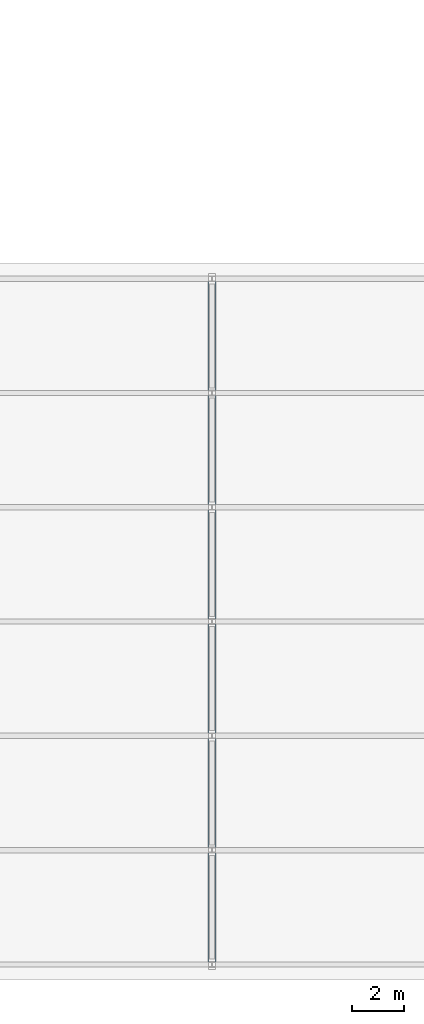
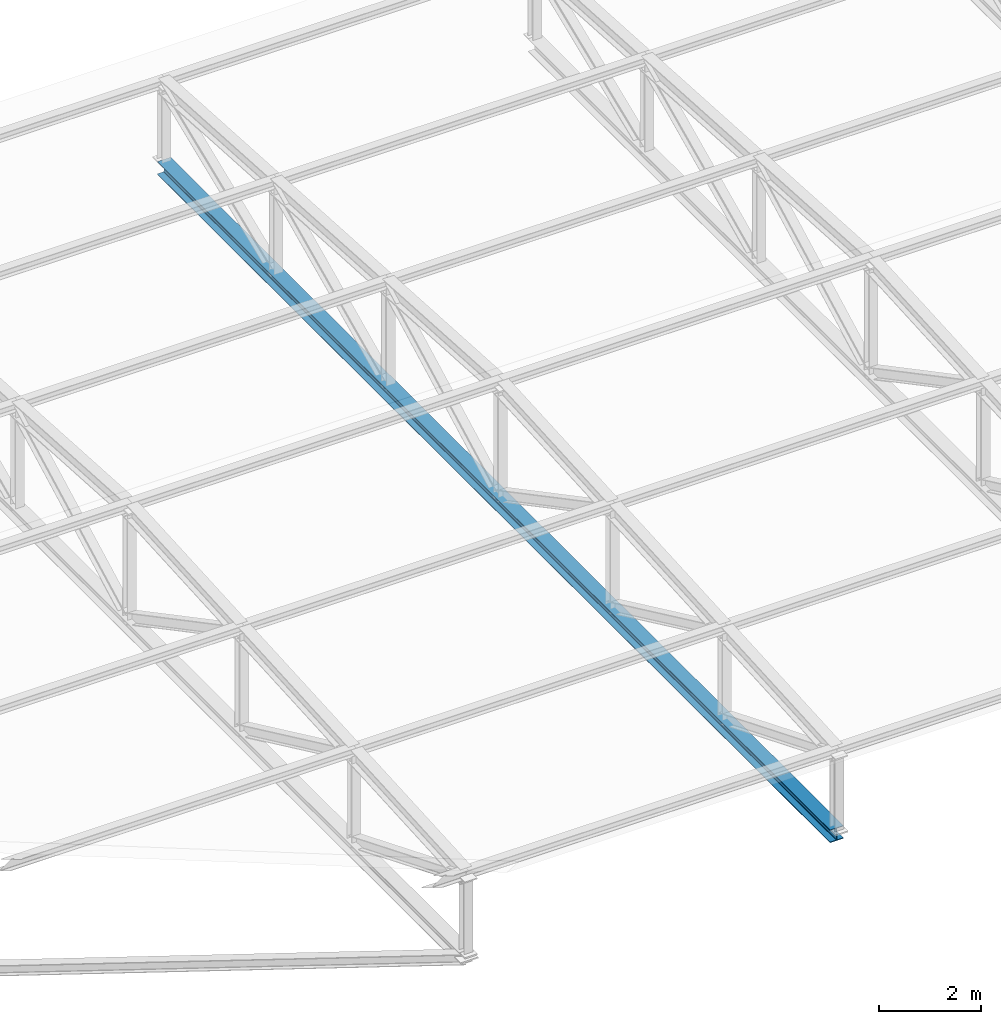
# One storey, part 13 of 49: 1 member.
"""IFC4 building model written with IfcOpenShell, lengths in metres."""

from ifc_helpers import new_model, si_unit, direction, frame, origin, origin_2d, place, context, subcontext, project, spatial, i_section, extrude, material, material_profile, profile_set, type_object, element, save


model = new_model("IFC4")

# Units and contexts
model_context = context("Model", 3, precision=1e-05, world=origin(), true_north=direction((0.0, 1.0)))
body_context = subcontext(model_context, "Body", "Model", "MODEL_VIEW")
ifc_project = project(units=[si_unit("LENGTHUNIT", "METRE"), si_unit("AREAUNIT", "SQUARE_METRE"), si_unit("VOLUMEUNIT", "CUBIC_METRE"), si_unit("PLANEANGLEUNIT", "RADIAN"), si_unit("MASSUNIT", "GRAM", prefix="KILO")], contexts=[model_context])

# Site, building, storey
site_placement = place(None, origin())
site = spatial("IfcSite", under=ifc_project, at=site_placement, CompositionType="ELEMENT")
building_placement = place(site_placement, origin())
building = spatial("IfcBuilding", under=site, at=building_placement, Name="Kemercrest Conservatory and Botanical Centre", CompositionType="ELEMENT")
storey_placement = place(building_placement, frame((0.0, 0.0, 13.199951171875)))
storey = spatial("IfcBuildingStorey", under=building, at=storey_placement, Name="L03", CompositionType="ELEMENT", Elevation=13.199951171875)

# Member
ifc_material = material(Name="Steel CSA G40.21 350W", Category="steel")
ifc_material_profile = material_profile(ifc_material, i_section(OverallWidth=0.304931640625, OverallDepth=0.30810546875, WebThickness=0.010009765625, FlangeThickness=0.015380859375, FilletRadius=0.014892578125, at=origin_2d()), Name="W310X97")
ifc_profile_set = profile_set([ifc_material_profile], Name="Steel CSA G40.21 350W")
member_type = type_object("IfcMemberType", Name="TR-BC310", PredefinedType="CHORD", material=ifc_profile_set)
member_placement = place(storey_placement, frame((75.199951171875, 16.800048828125, -0.14990234375), z_axis=(0.0, 1.0, 0.0), x_axis=(-1.0, 0.0, 0.0)))
element("IfcMember", 1, at=member_placement, inside=storey, type_object=member_type, Name="Auditorium Roof Truss Bottom Chord 09", PredefinedType="CHORD", context=body_context, shape_type="SweptSolid", body=[
    extrude(i_section(OverallWidth=0.304931640625, OverallDepth=0.30810546875, WebThickness=0.010009765625, FlangeThickness=0.015380859375, FilletRadius=0.014892578125, at=origin_2d()), origin(), (0.0, 0.0, 1.0), 26.39990234375),
])

save(model, "model.ifc")
